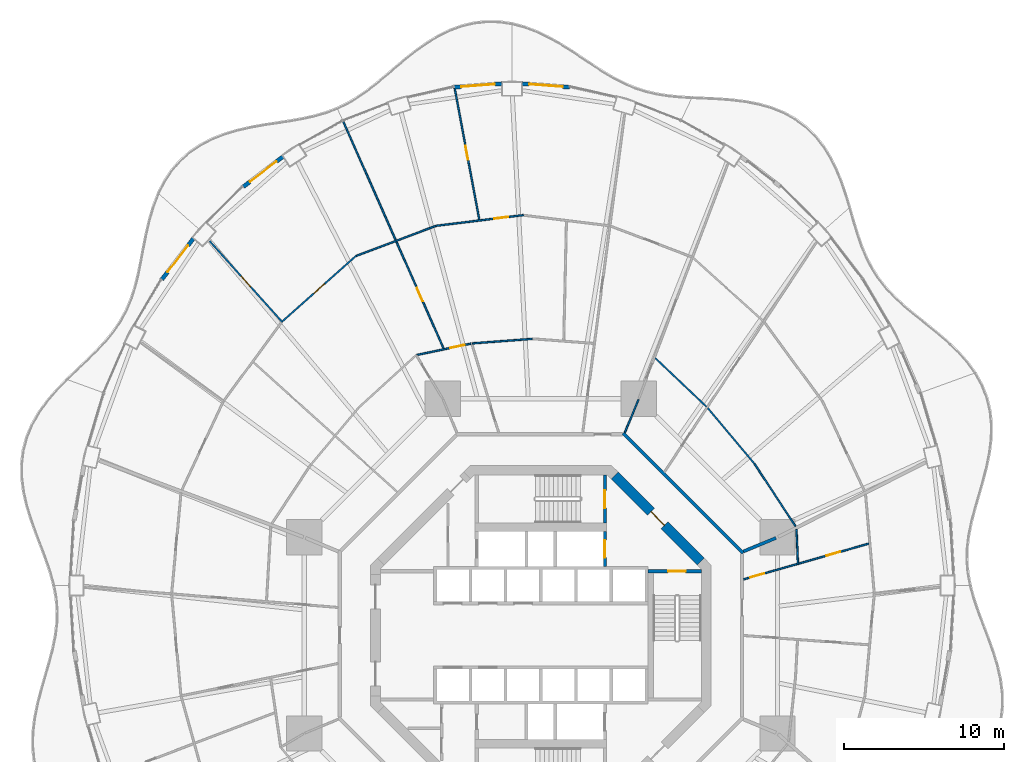
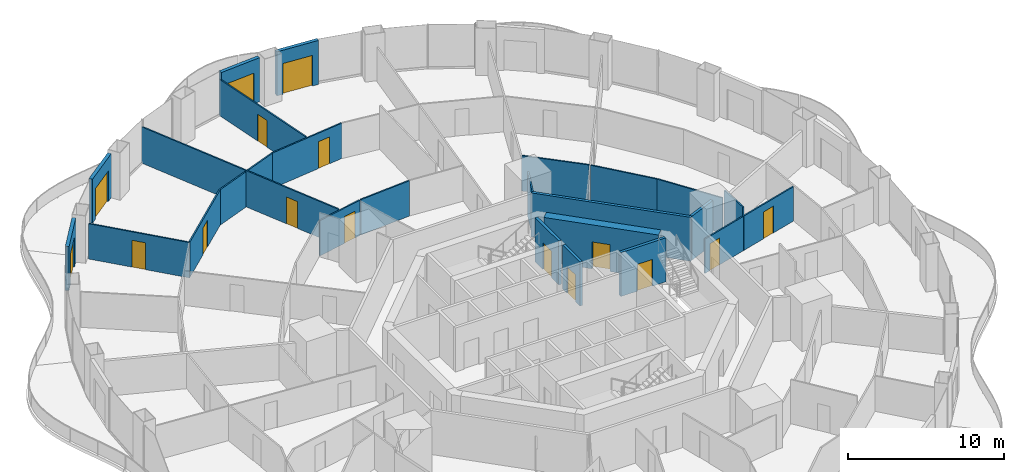
# One storey, part 18 of 22: 24 walls, 16 doors, 16 openings.
"""IFC4 building model written with IfcOpenShell, lengths in metres."""

from ifc_helpers import new_model, si_unit, direction, frame, frame_2d, origin, place, context, subcontext, project, spatial, rectangle, extrude, material, layer, layer_set, type_object, element, fill, save


model = new_model("IFC4")

# Units and contexts
model_context = context("Model", 3, precision=1e-05, world=origin(), true_north=direction((0.0, 1.0)))
body_context = subcontext(model_context, "Body", "Model", "MODEL_VIEW")
ifc_project = project(units=[si_unit("LENGTHUNIT", "METRE"), si_unit("AREAUNIT", "SQUARE_METRE"), si_unit("VOLUMEUNIT", "CUBIC_METRE"), si_unit("PLANEANGLEUNIT", "RADIAN"), si_unit("MASSUNIT", "GRAM", prefix="KILO")], contexts=[model_context])

# Site, building, storey
site_placement = place(None, origin())
site = spatial("IfcSite", under=ifc_project, at=site_placement, CompositionType="ELEMENT")
building_placement = place(site_placement, origin())
building = spatial("IfcBuilding", under=site, at=building_placement, Name="Nagisa Residences", CompositionType="ELEMENT")
storey_placement = place(building_placement, frame((0.0, 0.0, 80.699951171875)))
storey = spatial("IfcBuildingStorey", under=building, at=storey_placement, Name="L19", CompositionType="ELEMENT", Elevation=80.699951171875)

# Walls
ifc_material_1 = material(Name="Gypsum board on steel studs", Category="steel")
ifc_layer_1 = layer(ifc_material_1, 0.199951171875)
ifc_layer_set_1 = layer_set([ifc_layer_1], Name="Apartment compartment wall EI60 200")
wall_type_1 = type_object("IfcWallType", Name="Apartment compartment wall EI60 200", PredefinedType="PARTITIONING", material=ifc_layer_set_1)
wall_1_placement = place(storey_placement, frame((12.6572265625, 5.24267578125, 0.0), z_axis=(0.0, 0.0, 1.0), x_axis=(0.923876145736, 0.382691608661, 0.0)))
element("IfcWall", 1, at=wall_1_placement, inside=storey, type_object=wall_type_1, Name="wall:L19:u00", PredefinedType="PARTITIONING", context=body_context, shape_type="SweptSolid", body=[
    extrude(rectangle(XDim=2.19970703125, YDim=0.199951171875, at=frame_2d((1.099853515625, 0.0))), origin(), (0.0, 0.0, 1.0), 3.43994140625),
])
ifc_material_2 = material(Name="Gypsum board on steel studs", Category="steel")
ifc_layer_2 = layer(ifc_material_2, 0.199951171875)
ifc_layer_set_2 = layer_set([ifc_layer_2], Name="Apartment entry wall EI60 200")
wall_type_2 = type_object("IfcWallType", Name="Apartment entry wall EI60 200", PredefinedType="PARTITIONING", material=ifc_layer_set_2)
wall_2_placement = place(storey_placement, frame((12.635498046875, 5.1337890625, 0.0), z_axis=(0.0, 0.0, 1.0), x_axis=(-0.707106781187, 0.707106781187, 0.0)))
element("IfcWall", 2, at=wall_2_placement, inside=storey, type_object=wall_type_2, Name="wall:L19:u09", PredefinedType="PARTITIONING", context=body_context, shape_type="SweptSolid", body=[
    extrude(rectangle(XDim=10.609130859375, YDim=0.199951171875, at=frame_2d((5.3046875, 0.0))), origin(), (0.0, 0.0, 1.0), 3.43994140625),
])

# Wall, openings, doors
ifc_material_3 = material(Name="Gypsum board on steel studs", Category="steel")
ifc_layer_3 = layer(ifc_material_3, 0.10009765625)
ifc_layer_set_3 = layer_set([ifc_layer_3], Name="Apartment partition 100")
wall_type_3 = type_object("IfcWallType", Name="Apartment partition 100", PredefinedType="PARTITIONING", material=ifc_layer_set_3)
wall_3_placement = place(storey_placement, frame((12.660888671875, 3.4970703125, 0.0), z_axis=(0.0, 0.0, 1.0), x_axis=(0.961626678623, 0.274361314621, 0.0)))
wall_3 = element("IfcWall", 3, at=wall_3_placement, inside=storey, type_object=wall_type_3, Name="wall:L19:u19", PredefinedType="PARTITIONING", context=body_context, shape_type="SweptSolid", body=[
    extrude(rectangle(XDim=8.155517578125, YDim=0.10009765625, at=frame_2d((4.07763671875, 0.0))), origin(), (0.0, 0.0, 1.0), 2.68701171875),
])
opening_1_placement = place(wall_3_placement, frame((0.4462890625, 0.0, 0.0)))
opening_1 = element("IfcOpeningElement", 4, at=opening_1_placement, cuts=wall_3, Name="Opening L19-U50", PredefinedType="OPENING", context=body_context, shape_type="SweptSolid", body=[
    extrude(rectangle(XDim=0.89990234375, YDim=2.10009765625, at=frame_2d((0.449951171875, 1.050048828125))), frame((0.0, 0.06005859375, 0.0), z_axis=(0.0, -1.0, 0.0), x_axis=(1.0, 0.0, 0.0)), (0.0, 0.0, 1.0), 0.1201171875),
])
opening_2_placement = place(wall_3_placement, frame((5.39013671875, 0.0, 0.0)))
opening_2 = element("IfcOpeningElement", 5, at=opening_2_placement, cuts=wall_3, Name="Opening L19-U52", PredefinedType="OPENING", context=body_context, shape_type="SweptSolid", body=[
    extrude(rectangle(XDim=0.89990234375, YDim=2.10009765625, at=frame_2d((0.449951171875, 1.050048828125))), frame((0.0, 0.06005859375, 0.0), z_axis=(0.0, -1.0, 0.0), x_axis=(1.0, 0.0, 0.0)), (0.0, 0.0, 1.0), 0.1201171875),
])
ifc_material_4 = material(Name="Timber door set", Category="wood")
door_type_1 = type_object("IfcDoorType", Name="Apartment door 900x2100", OperationType="NOTDEFINED", PredefinedType="DOOR", material=ifc_material_4)
door_1_placement = place(opening_1_placement, origin())
door_1 = element("IfcDoor", 6, at=door_1_placement, inside=storey, type_object=door_type_1, Name="Door to family bathroom, Apartment 19D", OperationType="SINGLE_SWING_RIGHT", OverallHeight=2.10009765625, OverallWidth=0.89990234375, PredefinedType="DOOR", context=body_context, shape_type="SweptSolid", body=[
    extrude(rectangle(XDim=0.89990234375, YDim=2.10009765625, at=frame_2d((0.449951171875, 1.050048828125))), frame((0.0, 0.02490234375, 0.0), z_axis=(0.0, -1.0, 0.0), x_axis=(1.0, 0.0, 0.0)), (0.0, 0.0, 1.0), 0.050048828125),
])
fill(opening_1, door_1)
door_2_placement = place(opening_2_placement, origin())
door_2 = element("IfcDoor", 7, at=door_2_placement, inside=storey, type_object=door_type_1, Name="Door to family bathroom, Apartment 19D", OperationType="SINGLE_SWING_RIGHT", OverallHeight=2.10009765625, OverallWidth=0.89990234375, PredefinedType="DOOR", context=body_context, shape_type="SweptSolid", body=[
    extrude(rectangle(XDim=0.89990234375, YDim=2.10009765625, at=frame_2d((0.449951171875, 1.050048828125))), frame((0.0, 0.02490234375, 0.0), z_axis=(0.0, -1.0, 0.0), x_axis=(1.0, 0.0, 0.0)), (0.0, 0.0, 1.0), 0.050048828125),
])
fill(opening_2, door_2)

# Walls
wall_4_placement = place(storey_placement, frame((16.064453125, 4.4150390625, 0.0), z_axis=(0.0, 0.0, 1.0), x_axis=(-0.043101501373, 0.999070698489, 0.0)))
element("IfcWall", 8, at=wall_4_placement, inside=storey, type_object=wall_type_3, Name="wall:L19:u20", PredefinedType="PARTITIONING", context=body_context, shape_type="SweptSolid", body=[
    extrude(rectangle(XDim=2.208984375, YDim=0.10009765625, at=frame_2d((1.1044921875, 0.0))), origin(), (0.0, 0.0, 1.0), 3.43994140625),
])
wall_5_placement = place(storey_placement, frame((15.91015625, 6.8056640625, 0.0), z_axis=(0.0, 0.0, 1.0), x_axis=(-0.547468243486, 0.836826458936, 0.0)))
element("IfcWall", 9, at=wall_5_placement, inside=storey, type_object=wall_type_3, Name="wall:L19:u21", PredefinedType="PARTITIONING", context=body_context, shape_type="SweptSolid", body=[
    extrude(rectangle(XDim=4.687744140625, YDim=0.10009765625, at=frame_2d((2.34375, 0.0))), origin(), (0.0, 0.0, 1.0), 2.761962890625),
])
wall_6_placement = place(storey_placement, frame((13.339111328125, 10.724853515625, 0.0), z_axis=(0.0, 0.0, 1.0), x_axis=(-0.642515455924, 0.766272724882, 0.0)))
element("IfcWall", 10, at=wall_6_placement, inside=storey, type_object=wall_type_3, Name="wall:L19:u23", PredefinedType="PARTITIONING", context=body_context, shape_type="SweptSolid", body=[
    extrude(rectangle(XDim=4.537353515625, YDim=0.10009765625, at=frame_2d((2.2685546875, 0.0))), origin(), (0.0, 0.0, 1.0), 2.761962890625),
])
wall_7_placement = place(storey_placement, frame((10.35546875, 14.274169921875, 0.0), z_axis=(0.0, 0.0, 1.0), x_axis=(-0.725219204328, 0.688518050361, 0.0)))
element("IfcWall", 11, at=wall_7_placement, inside=storey, type_object=wall_type_3, Name="wall:L19:u26", PredefinedType="PARTITIONING", context=body_context, shape_type="SweptSolid", body=[
    extrude(rectangle(XDim=4.43701171875, YDim=0.10009765625, at=frame_2d((2.218505859375, 0.0))), origin(), (0.0, 0.0, 1.0), 2.761962890625),
])
wall_8_placement = place(storey_placement, frame((5.24267578125, 12.6572265625, 0.0), z_axis=(0.0, 0.0, 1.0), x_axis=(0.382719158442, 0.923864733477, 0.0)))
element("IfcWall", 12, at=wall_8_placement, inside=storey, type_object=wall_type_3, Name="wall:L19:u28", PredefinedType="PARTITIONING", context=body_context, shape_type="SweptSolid", body=[
    extrude(rectangle(XDim=2.25, YDim=0.10009765625, at=frame_2d((1.125, 0.0))), origin(), (0.0, 0.0, 1.0), 3.43994140625),
])
wall_9_placement = place(storey_placement, frame((-0.535888671875, 18.519287109375, 0.0), z_axis=(0.0, 0.0, 1.0), x_axis=(-0.99715294352, -0.075405618017, 0.0)))
element("IfcWall", 13, at=wall_9_placement, inside=storey, type_object=wall_type_3, Name="wall:L19:u35", PredefinedType="PARTITIONING", context=body_context, shape_type="SweptSolid", body=[
    extrude(rectangle(XDim=3.74609375, YDim=0.10009765625, at=frame_2d((1.873046875, 0.0))), origin(), (0.0, 0.0, 1.0), 2.761962890625),
])

# Wall, opening, door
wall_10_placement = place(storey_placement, frame((-1.06640625, 26.2529296875, 0.0), z_axis=(0.0, 0.0, 1.0), x_axis=(-0.992574197255, -0.121640712523, 0.0)))
wall_10 = element("IfcWall", 14, at=wall_10_placement, inside=storey, type_object=wall_type_3, Name="wall:L19:u36", PredefinedType="PARTITIONING", context=body_context, shape_type="SweptSolid", body=[
    extrude(rectangle(XDim=5.57373046875, YDim=0.10009765625, at=frame_2d((2.786865234375, 0.0))), origin(), (0.0, 0.0, 1.0), 2.761962890625),
])
opening_3_placement = place(wall_10_placement, frame((0.968505859375, 0.0, 0.0)))
opening_3 = element("IfcOpeningElement", 15, at=opening_3_placement, cuts=wall_10, Name="Opening L19-U14", PredefinedType="OPENING", context=body_context, shape_type="SweptSolid", body=[
    extrude(rectangle(XDim=0.89990234375, YDim=2.10009765625, at=frame_2d((0.449951171875, 1.050048828125))), frame((0.0, 0.06005859375, 0.0), z_axis=(0.0, -1.0, 0.0), x_axis=(1.0, 0.0, 0.0)), (0.0, 0.0, 1.0), 0.1201171875),
])
door_3_placement = place(opening_3_placement, frame((0.89990234375, 0.0, 0.0), x_axis=(-1.0, 0.0, 0.0)))
door_3 = element("IfcDoor", 16, at=door_3_placement, inside=storey, type_object=door_type_1, Name="Door to living room, Apartment 19A", OperationType="SINGLE_SWING_LEFT", OverallHeight=2.10009765625, OverallWidth=0.89990234375, PredefinedType="DOOR", context=body_context, shape_type="SweptSolid", body=[
    extrude(rectangle(XDim=0.89990234375, YDim=2.10009765625, at=frame_2d((0.449951171875, 1.050048828125))), frame((0.0, 0.02490234375, 0.0), z_axis=(0.0, -1.0, 0.0), x_axis=(1.0, 0.0, 0.0)), (0.0, 0.0, 1.0), 0.050048828125),
])
fill(opening_3, door_3)

wall_11_placement = place(storey_placement, frame((-3.841796875, 25.963134765625, 0.0), z_axis=(0.0, 0.0, 1.0), x_axis=(-0.184068442651, 0.982913428752, 0.0)))
wall_11 = element("IfcWall", 17, at=wall_11_placement, inside=storey, type_object=wall_type_3, Name="wall:L19:u37", PredefinedType="PARTITIONING", context=body_context, shape_type="SweptSolid", body=[
    extrude(rectangle(XDim=8.505859375, YDim=0.10009765625, at=frame_2d((4.2529296875, 0.0))), origin(), (0.0, 0.0, 1.0), 2.837158203125),
])
opening_4_placement = place(wall_11_placement, frame((3.802978515625, 0.0, 0.0)))
opening_4 = element("IfcOpeningElement", 18, at=opening_4_placement, cuts=wall_11, Name="Opening L19-U15", PredefinedType="OPENING", context=body_context, shape_type="SweptSolid", body=[
    extrude(rectangle(XDim=0.89990234375, YDim=2.10009765625, at=frame_2d((0.449951171875, 1.050048828125))), frame((0.0, 0.06005859375, 0.0), z_axis=(0.0, -1.0, 0.0), x_axis=(1.0, 0.0, 0.0)), (0.0, 0.0, 1.0), 0.1201171875),
])
door_4_placement = place(opening_4_placement, origin())
door_4 = element("IfcDoor", 19, at=door_4_placement, inside=storey, type_object=door_type_1, Name="Door to master bedroom, Apartment 19A", OperationType="SINGLE_SWING_LEFT", OverallHeight=2.10009765625, OverallWidth=0.89990234375, PredefinedType="DOOR", context=body_context, shape_type="SweptSolid", body=[
    extrude(rectangle(XDim=0.89990234375, YDim=2.10009765625, at=frame_2d((0.449951171875, 1.050048828125))), frame((0.0, 0.02490234375, 0.0), z_axis=(0.0, -1.0, 0.0), x_axis=(1.0, 0.0, 0.0)), (0.0, 0.0, 1.0), 0.050048828125),
])
fill(opening_4, door_4)

wall_12_placement = place(storey_placement, frame((-4.369873046875, 18.222900390625, 0.0), z_axis=(0.0, 0.0, 1.0), x_axis=(-0.978619056583, -0.205681166112, 0.0)))
wall_12 = element("IfcWall", 20, at=wall_12_placement, inside=storey, type_object=wall_type_3, Name="wall:L19:u39", PredefinedType="PARTITIONING", context=body_context, shape_type="SweptSolid", body=[
    extrude(rectangle(XDim=3.4375, YDim=0.10009765625, at=frame_2d((1.71875, 0.0))), origin(), (0.0, 0.0, 1.0), 2.761962890625),
])
opening_5_placement = place(wall_12_placement, frame((0.409423828125, 0.0, 0.0)))
opening_5 = element("IfcOpeningElement", 21, at=opening_5_placement, cuts=wall_12, Name="Opening L19-U09", PredefinedType="OPENING", context=body_context, shape_type="SweptSolid", body=[
    extrude(rectangle(XDim=0.89990234375, YDim=2.10009765625, at=frame_2d((0.449951171875, 1.050048828125))), frame((0.0, 0.06005859375, 0.0), z_axis=(0.0, -1.0, 0.0), x_axis=(1.0, 0.0, 0.0)), (0.0, 0.0, 1.0), 0.1201171875),
])
door_5_placement = place(opening_5_placement, frame((0.89990234375, 0.0, 0.0), x_axis=(-1.0, 0.0, 0.0)))
door_5 = element("IfcDoor", 22, at=door_5_placement, inside=storey, type_object=door_type_1, Name="Door to dining room, Apartment 19A", OperationType="SINGLE_SWING_RIGHT", OverallHeight=2.10009765625, OverallWidth=0.89990234375, PredefinedType="DOOR", context=body_context, shape_type="SweptSolid", body=[
    extrude(rectangle(XDim=0.89990234375, YDim=2.10009765625, at=frame_2d((0.449951171875, 1.050048828125))), frame((0.0, 0.02490234375, 0.0), z_axis=(0.0, -1.0, 0.0), x_axis=(1.0, 0.0, 0.0)), (0.0, 0.0, 1.0), 0.050048828125),
])
fill(opening_5, door_5)

# Wall
wall_13_placement = place(storey_placement, frame((-6.595703125, 25.5634765625, 0.0), z_axis=(0.0, 0.0, 1.0), x_axis=(-0.9356162121, -0.353018843201, 0.0)))
element("IfcWall", 23, at=wall_13_placement, inside=storey, type_object=wall_type_3, Name="wall:L19:u40", PredefinedType="PARTITIONING", context=body_context, shape_type="SweptSolid", body=[
    extrude(rectangle(XDim=5.2490234375, YDim=0.10009765625, at=frame_2d((2.62451171875, 0.0))), origin(), (0.0, 0.0, 1.0), 2.761962890625),
])

# Wall, opening, door
wall_14_placement = place(storey_placement, frame((-6.072021484375, 17.9150390625, 0.0), z_axis=(0.0, 0.0, 1.0), x_axis=(-0.404139814253, 0.914697223422, 0.0)))
wall_14 = element("IfcWall", 24, at=wall_14_placement, inside=storey, type_object=wall_type_3, Name="wall:L19:u41", PredefinedType="PARTITIONING", context=body_context, shape_type="SweptSolid", body=[
    extrude(rectangle(XDim=15.6142578125, YDim=0.10009765625, at=frame_2d((7.80712890625, 0.0))), origin(), (0.0, 0.0, 1.0), 2.837158203125),
])
opening_6_placement = place(wall_14_placement, frame((3.226318359375, 0.0, 0.0)))
opening_6 = element("IfcOpeningElement", 25, at=opening_6_placement, cuts=wall_14, Name="Opening L19-U10", PredefinedType="OPENING", context=body_context, shape_type="SweptSolid", body=[
    extrude(rectangle(XDim=0.89990234375, YDim=2.10009765625, at=frame_2d((0.449951171875, 1.050048828125))), frame((0.0, 0.06005859375, 0.0), z_axis=(0.0, -1.0, 0.0), x_axis=(1.0, 0.0, 0.0)), (0.0, 0.0, 1.0), 0.1201171875),
])
door_6_placement = place(opening_6_placement, origin())
door_6 = element("IfcDoor", 26, at=door_6_placement, inside=storey, type_object=door_type_1, Name="Door to family room, Apartment 19A", OperationType="SINGLE_SWING_RIGHT", OverallHeight=2.10009765625, OverallWidth=0.89990234375, PredefinedType="DOOR", context=body_context, shape_type="SweptSolid", body=[
    extrude(rectangle(XDim=0.89990234375, YDim=2.10009765625, at=frame_2d((0.449951171875, 1.050048828125))), frame((0.0, 0.02490234375, 0.0), z_axis=(0.0, -1.0, 0.0), x_axis=(1.0, 0.0, 0.0)), (0.0, 0.0, 1.0), 0.050048828125),
])
fill(opening_6, door_6)

wall_15_placement = place(storey_placement, frame((-11.51611328125, 23.72607421875, 0.0), z_axis=(0.0, 0.0, 1.0), x_axis=(-0.747428955243, -0.664341747043, 0.0)))
wall_15 = element("IfcWall", 27, at=wall_15_placement, inside=storey, type_object=wall_type_3, Name="wall:L19:u45", PredefinedType="PARTITIONING", context=body_context, shape_type="SweptSolid", body=[
    extrude(rectangle(XDim=6.173583984375, YDim=0.10009765625, at=frame_2d((3.0869140625, 0.0))), origin(), (0.0, 0.0, 1.0), 2.761962890625),
])
opening_7_placement = place(wall_15_placement, frame((2.66162109375, 0.0, 0.0)))
opening_7 = element("IfcOpeningElement", 28, at=opening_7_placement, cuts=wall_15, Name="Opening L19-U16", PredefinedType="OPENING", context=body_context, shape_type="SweptSolid", body=[
    extrude(rectangle(XDim=0.89990234375, YDim=2.10009765625, at=frame_2d((0.449951171875, 1.050048828125))), frame((0.0, 0.06005859375, 0.0), z_axis=(0.0, -1.0, 0.0), x_axis=(1.0, 0.0, 0.0)), (0.0, 0.0, 1.0), 0.1201171875),
])
door_7_placement = place(opening_7_placement, frame((0.89990234375, 0.0, 0.0), x_axis=(-1.0, 0.0, 0.0)))
door_7 = element("IfcDoor", 29, at=door_7_placement, inside=storey, type_object=door_type_1, Name="Door to living room, Apartment 19A", OperationType="SINGLE_SWING_LEFT", OverallHeight=2.10009765625, OverallWidth=0.89990234375, PredefinedType="DOOR", context=body_context, shape_type="SweptSolid", body=[
    extrude(rectangle(XDim=0.89990234375, YDim=2.10009765625, at=frame_2d((0.449951171875, 1.050048828125))), frame((0.0, 0.02490234375, 0.0), z_axis=(0.0, -1.0, 0.0), x_axis=(1.0, 0.0, 0.0)), (0.0, 0.0, 1.0), 0.050048828125),
])
fill(opening_7, door_7)

wall_16_placement = place(storey_placement, frame((-16.13427734375, 19.554443359375, 0.0), z_axis=(0.0, 0.0, 1.0), x_axis=(-0.667985610263, 0.74417418961, 0.0)))
wall_16 = element("IfcWall", 30, at=wall_16_placement, inside=storey, type_object=wall_type_3, Name="wall:L19:u47", PredefinedType="PARTITIONING", context=body_context, shape_type="SweptSolid", body=[
    extrude(rectangle(XDim=6.809326171875, YDim=0.10009765625, at=frame_2d((3.40478515625, 0.0))), origin(), (0.0, 0.0, 1.0), 2.761962890625),
])
opening_8_placement = place(wall_16_placement, frame((2.979736328125, 0.0, 0.0)))
opening_8 = element("IfcOpeningElement", 31, at=opening_8_placement, cuts=wall_16, Name="Opening L19-U17", PredefinedType="OPENING", context=body_context, shape_type="SweptSolid", body=[
    extrude(rectangle(XDim=0.89990234375, YDim=2.10009765625, at=frame_2d((0.449951171875, 1.050048828125))), frame((0.0, 0.06005859375, 0.0), z_axis=(0.0, -1.0, 0.0), x_axis=(1.0, 0.0, 0.0)), (0.0, 0.0, 1.0), 0.1201171875),
])
door_8_placement = place(opening_8_placement, origin())
door_8 = element("IfcDoor", 32, at=door_8_placement, inside=storey, type_object=door_type_1, Name="Door to master bedroom, Apartment 19A", OperationType="SINGLE_SWING_LEFT", OverallHeight=2.10009765625, OverallWidth=0.89990234375, PredefinedType="DOOR", context=body_context, shape_type="SweptSolid", body=[
    extrude(rectangle(XDim=0.89990234375, YDim=2.10009765625, at=frame_2d((0.449951171875, 1.050048828125))), frame((0.0, 0.02490234375, 0.0), z_axis=(0.0, -1.0, 0.0), x_axis=(1.0, 0.0, 0.0)), (0.0, 0.0, 1.0), 0.050048828125),
])
fill(opening_8, door_8)

ifc_material_5 = material(Name="Precast concrete C40/50", Category="concrete")
ifc_layer_4 = layer(ifc_material_5, 0.25)
ifc_layer_set_4 = layer_set([ifc_layer_4], Name="BALCONY DOOR WALL 250")
wall_type_4 = type_object("IfcWallType", Name="BALCONY DOOR WALL 250", PredefinedType="SOLIDWALL", material=ifc_layer_set_4)
wall_17_placement = place(storey_placement, frame((-1.1611328125, 34.459716796875, 0.0), z_axis=(0.0, 0.0, 1.0), x_axis=(0.997232262224, -0.074349278273, 0.0)))
wall_17 = element("IfcWall", 33, at=wall_17_placement, inside=storey, type_object=wall_type_4, Name="wall:L19:bay11", PredefinedType="SOLIDWALL", context=body_context, shape_type="SweptSolid", body=[
    extrude(rectangle(XDim=2.97509765625, YDim=0.25, at=frame_2d((1.487548828125, 0.0))), origin(), (0.0, 0.0, 1.0), 3.43994140625),
])
opening_9_placement = place(wall_17_placement, frame((0.4375, 0.0, 0.0)))
opening_9 = element("IfcOpeningElement", 34, at=opening_9_placement, cuts=wall_17, Name="Opening BD-L19-04", PredefinedType="OPENING", context=body_context, shape_type="SweptSolid", body=[
    extrude(rectangle(XDim=2.10009765625, YDim=2.39990234375, at=frame_2d((1.050048828125, 1.199951171875))), frame((0.0, 0.135009765625, 0.0), z_axis=(0.0, -1.0, 0.0), x_axis=(1.0, 0.0, 0.0)), (0.0, 0.0, 1.0), 0.27001953125),
])
ifc_material_6 = material(Name="Aluminium and clear glass", Category="aluminium")
door_type_2 = type_object("IfcDoorType", Name="BALCONY SLIDING DOOR 2100x2400", OperationType="SLIDING_TO_LEFT", PredefinedType="DOOR", material=ifc_material_6)
door_9_placement = place(opening_9_placement, origin())
door_9 = element("IfcDoor", 35, at=door_9_placement, inside=storey, type_object=door_type_2, Name="door:L19:bay11", OperationType="SLIDING_TO_LEFT", OverallHeight=2.39990234375, OverallWidth=2.10009765625, PredefinedType="DOOR", context=body_context, shape_type="SweptSolid", body=[
    extrude(rectangle(XDim=2.10009765625, YDim=2.39990234375, at=frame_2d((1.050048828125, 1.199951171875))), frame((0.0, 0.02490234375, 0.0), z_axis=(0.0, -1.0, 0.0), x_axis=(1.0, 0.0, 0.0)), (0.0, 0.0, 1.0), 0.050048828125),
])
fill(opening_9, door_9)

wall_18_placement = place(storey_placement, frame((-5.405517578125, 34.238525390625, 0.0), z_axis=(0.0, 0.0, 1.0), x_axis=(0.997231808538, 0.074355363224, 0.0)))
wall_18 = element("IfcWall", 36, at=wall_18_placement, inside=storey, type_object=wall_type_4, Name="wall:L19:bay12", PredefinedType="SOLIDWALL", context=body_context, shape_type="SweptSolid", body=[
    extrude(rectangle(XDim=2.974853515625, YDim=0.25, at=frame_2d((1.4873046875, 0.0))), origin(), (0.0, 0.0, 1.0), 3.43994140625),
])
opening_10_placement = place(wall_18_placement, frame((0.4375, 0.0, 0.0)))
opening_10 = element("IfcOpeningElement", 37, at=opening_10_placement, cuts=wall_18, Name="Opening BD-L19-05", PredefinedType="OPENING", context=body_context, shape_type="SweptSolid", body=[
    extrude(rectangle(XDim=2.10009765625, YDim=2.39990234375, at=frame_2d((1.050048828125, 1.199951171875))), frame((0.0, 0.135009765625, 0.0), z_axis=(0.0, -1.0, 0.0), x_axis=(1.0, 0.0, 0.0)), (0.0, 0.0, 1.0), 0.27001953125),
])
door_10_placement = place(opening_10_placement, origin())
door_10 = element("IfcDoor", 38, at=door_10_placement, inside=storey, type_object=door_type_2, Name="door:L19:bay12", OperationType="SLIDING_TO_LEFT", OverallHeight=2.39990234375, OverallWidth=2.10009765625, PredefinedType="DOOR", context=body_context, shape_type="SweptSolid", body=[
    extrude(rectangle(XDim=2.10009765625, YDim=2.39990234375, at=frame_2d((1.050048828125, 1.199951171875))), frame((0.0, 0.02490234375, 0.0), z_axis=(0.0, -1.0, 0.0), x_axis=(1.0, 0.0, 0.0)), (0.0, 0.0, 1.0), 0.050048828125),
])
fill(opening_10, door_10)

wall_19_placement = place(storey_placement, frame((-18.583984375, 28.020751953125, 0.0), z_axis=(0.0, 0.0, 1.0), x_axis=(0.796037575978, 0.605247203736, 0.0)))
wall_19 = element("IfcWall", 39, at=wall_19_placement, inside=storey, type_object=wall_type_4, Name="wall:L19:bay16", PredefinedType="SOLIDWALL", context=body_context, shape_type="SweptSolid", body=[
    extrude(rectangle(XDim=3.1337890625, YDim=0.25, at=frame_2d((1.56689453125, 0.0))), origin(), (0.0, 0.0, 1.0), 3.43994140625),
])
opening_11_placement = place(wall_19_placement, frame((0.51708984375, 0.0, 0.0)))
opening_11 = element("IfcOpeningElement", 40, at=opening_11_placement, cuts=wall_19, Name="Opening BD-L19-06", PredefinedType="OPENING", context=body_context, shape_type="SweptSolid", body=[
    extrude(rectangle(XDim=2.10009765625, YDim=2.39990234375, at=frame_2d((1.050048828125, 1.199951171875))), frame((0.0, 0.135009765625, 0.0), z_axis=(0.0, -1.0, 0.0), x_axis=(1.0, 0.0, 0.0)), (0.0, 0.0, 1.0), 0.27001953125),
])
door_11_placement = place(opening_11_placement, origin())
door_11 = element("IfcDoor", 41, at=door_11_placement, inside=storey, type_object=door_type_2, Name="door:L19:bay16", OperationType="SLIDING_TO_LEFT", OverallHeight=2.39990234375, OverallWidth=2.10009765625, PredefinedType="DOOR", context=body_context, shape_type="SweptSolid", body=[
    extrude(rectangle(XDim=2.10009765625, YDim=2.39990234375, at=frame_2d((1.050048828125, 1.199951171875))), frame((0.0, 0.02490234375, 0.0), z_axis=(0.0, -1.0, 0.0), x_axis=(1.0, 0.0, 0.0)), (0.0, 0.0, 1.0), 0.050048828125),
])
fill(opening_11, door_11)

wall_20_placement = place(storey_placement, frame((-23.6728515625, 22.2265625, 0.0), z_axis=(0.0, 0.0, 1.0), x_axis=(0.61041202934, 0.792084057684, 0.0)))
wall_20 = element("IfcWall", 42, at=wall_20_placement, inside=storey, type_object=wall_type_4, Name="wall:L19:bay18", PredefinedType="SOLIDWALL", context=body_context, shape_type="SweptSolid", body=[
    extrude(rectangle(XDim=3.262939453125, YDim=0.25, at=frame_2d((1.63134765625, 0.0))), origin(), (0.0, 0.0, 1.0), 3.43994140625),
])
opening_12_placement = place(wall_20_placement, frame((0.58154296875, 0.0, 0.0)))
opening_12 = element("IfcOpeningElement", 43, at=opening_12_placement, cuts=wall_20, Name="Opening BD-L19-07", PredefinedType="OPENING", context=body_context, shape_type="SweptSolid", body=[
    extrude(rectangle(XDim=2.10009765625, YDim=2.39990234375, at=frame_2d((1.050048828125, 1.199951171875))), frame((0.0, 0.135009765625, 0.0), z_axis=(0.0, -1.0, 0.0), x_axis=(1.0, 0.0, 0.0)), (0.0, 0.0, 1.0), 0.27001953125),
])
door_12_placement = place(opening_12_placement, origin())
door_12 = element("IfcDoor", 44, at=door_12_placement, inside=storey, type_object=door_type_2, Name="door:L19:bay18", OperationType="SLIDING_TO_LEFT", OverallHeight=2.39990234375, OverallWidth=2.10009765625, PredefinedType="DOOR", context=body_context, shape_type="SweptSolid", body=[
    extrude(rectangle(XDim=2.10009765625, YDim=2.39990234375, at=frame_2d((1.050048828125, 1.199951171875))), frame((0.0, 0.02490234375, 0.0), z_axis=(0.0, -1.0, 0.0), x_axis=(1.0, 0.0, 0.0)), (0.0, 0.0, 1.0), 0.050048828125),
])
fill(opening_12, door_12)

ifc_material_7 = material(Name="Concrete C60", Category="concrete")
ifc_layer_5 = layer(ifc_material_7, 0.60009765625)
ifc_layer_set_5 = layer_set([ifc_layer_5], Name="Core shear wall 600")
wall_type_5 = type_object("IfcWallType", Name="Core shear wall 600", PredefinedType="SHEAR", material=ifc_layer_set_5)
wall_21_placement = place(storey_placement, frame((9.98828125, 4.613037109375, 0.0), z_axis=(0.0, 0.0, 1.0), x_axis=(-0.707106781187, 0.707106781187, 0.0)))
wall_21 = element("IfcWall", 45, at=wall_21_placement, inside=storey, type_object=wall_type_5, Name="wall:L19:core:flat1", PredefinedType="SHEAR", context=body_context, shape_type="SweptSolid", body=[
    extrude(rectangle(XDim=7.601806640625, YDim=0.60009765625, at=frame_2d((3.80078125, 0.0))), origin(), (0.0, 0.0, 1.0), 3.43994140625),
])
opening_13_placement = place(wall_21_placement, frame((3.200927734375, 0.0, 0.0)))
opening_13 = element("IfcOpeningElement", 46, at=opening_13_placement, cuts=wall_21, Name="Opening L19-C16", PredefinedType="OPENING", context=body_context, shape_type="SweptSolid", body=[
    extrude(rectangle(XDim=1.199951171875, YDim=2.10009765625, at=frame_2d((0.60009765625, 1.050048828125))), frame((0.0, 0.31005859375, 0.0), z_axis=(0.0, -1.0, 0.0), x_axis=(1.0, 0.0, 0.0)), (0.0, 0.0, 1.0), 0.6201171875),
])
ifc_material_8 = material(Name="Steel fire door", Category="steel")
door_type_3 = type_object("IfcDoorType", Name="Fire door EI60 1200x2100 single swing", OperationType="NOTDEFINED", PredefinedType="DOOR", material=ifc_material_8)
door_13_placement = place(opening_13_placement, origin())
door_13 = element("IfcDoor", 47, at=door_13_placement, inside=storey, type_object=door_type_3, Name="Firefighting lobby 1 door L19", OperationType="SINGLE_SWING_LEFT", OverallHeight=2.10009765625, OverallWidth=1.199951171875, PredefinedType="DOOR", context=body_context, shape_type="SweptSolid", body=[
    extrude(rectangle(XDim=1.199951171875, YDim=2.10009765625, at=frame_2d((0.60009765625, 1.050048828125))), frame((0.0, 0.02490234375, 0.0), z_axis=(0.0, -1.0, 0.0), x_axis=(1.0, 0.0, 0.0)), (0.0, 0.0, 1.0), 0.050048828125),
])
fill(opening_13, door_13)

ifc_material_9 = material(Name="Concrete C60", Category="concrete")
ifc_layer_6 = layer(ifc_material_9, 0.199951171875)
ifc_layer_set_6 = layer_set([ifc_layer_6], Name="Lift shaft wall 200")
wall_type_6 = type_object("IfcWallType", Name="Lift shaft wall 200", PredefinedType="SOLIDWALL", material=ifc_layer_set_6)
wall_22_placement = place(storey_placement, frame((4.0, 4.300048828125, 0.0), z_axis=(0.0, 0.0, 1.0), x_axis=(0.0, 1.0, 0.0)))
wall_22 = element("IfcWall", 48, at=wall_22_placement, inside=storey, type_object=wall_type_6, Name="wall:L19:Nb3", PredefinedType="SOLIDWALL", context=body_context, shape_type="SweptSolid", body=[
    extrude(rectangle(XDim=2.199951171875, YDim=0.199951171875, at=frame_2d((1.10009765625, 0.0))), origin(), (0.0, 0.0, 1.0), 3.43994140625),
])
opening_14_placement = place(wall_22_placement, frame((0.550048828125, 0.0, 0.0)))
opening_14 = element("IfcOpeningElement", 49, at=opening_14_placement, cuts=wall_22, Name="Opening L19-C06", PredefinedType="OPENING", context=body_context, shape_type="SweptSolid", body=[
    extrude(rectangle(XDim=1.10009765625, YDim=2.10009765625, at=frame_2d((0.550048828125, 1.050048828125))), frame((0.0, 0.10986328125, 0.0), z_axis=(0.0, -1.0, 0.0), x_axis=(1.0, 0.0, 0.0)), (0.0, 0.0, 1.0), 0.219970703125),
])
ifc_material_10 = material(Name="Stainless steel", Category="steel")
door_type_4 = type_object("IfcDoorType", Name="Lift landing door 1100x2100", OperationType="DOUBLE_DOOR_SLIDING", PredefinedType="DOOR", material=ifc_material_10)
door_14_placement = place(opening_14_placement, origin())
door_14 = element("IfcDoor", 50, at=door_14_placement, inside=storey, type_object=door_type_4, Name="Landing door FL1 L19", OperationType="DOUBLE_DOOR_SLIDING", OverallHeight=2.10009765625, OverallWidth=1.10009765625, PredefinedType="DOOR", context=body_context, shape_type="SweptSolid", body=[
    extrude(rectangle(XDim=1.10009765625, YDim=2.10009765625, at=frame_2d((0.550048828125, 1.050048828125))), frame((0.0, 0.02490234375, 0.0), z_axis=(0.0, -1.0, 0.0), x_axis=(1.0, 0.0, 0.0)), (0.0, 0.0, 1.0), 0.050048828125),
])
fill(opening_14, door_14)

ifc_material_11 = material(Name="Concrete C60", Category="concrete")
ifc_layer_7 = layer(ifc_material_11, 0.199951171875)
ifc_layer_set_7 = layer_set([ifc_layer_7], Name="Stair enclosure wall 200")
wall_type_7 = type_object("IfcWallType", Name="Stair enclosure wall 200", PredefinedType="SOLIDWALL", material=ifc_layer_set_7)
wall_23_placement = place(storey_placement, frame((6.699951171875, 4.0, 0.0), z_axis=(0.0, 0.0, 1.0), x_axis=(1.0, 0.0, 0.0)))
wall_23 = element("IfcWall", 51, at=wall_23_placement, inside=storey, type_object=wall_type_7, Name="wall:L19:SE_n", PredefinedType="SOLIDWALL", context=body_context, shape_type="SweptSolid", body=[
    extrude(rectangle(XDim=3.32470703125, YDim=0.199951171875, at=frame_2d((1.662353515625, 0.0))), origin(), (0.0, 0.0, 1.0), 3.43994140625),
])
opening_15_placement = place(wall_23_placement, frame((1.25, 0.0, 0.0)))
opening_15 = element("IfcOpeningElement", 52, at=opening_15_placement, cuts=wall_23, Name="Opening L19-C09", PredefinedType="OPENING", context=body_context, shape_type="SweptSolid", body=[
    extrude(rectangle(XDim=1.10009765625, YDim=2.10009765625, at=frame_2d((0.550048828125, 1.050048828125))), frame((0.0, 0.10986328125, 0.0), z_axis=(0.0, -1.0, 0.0), x_axis=(1.0, 0.0, 0.0)), (0.0, 0.0, 1.0), 0.219970703125),
])
ifc_material_12 = material(Name="Steel fire door", Category="steel")
door_type_5 = type_object("IfcDoorType", Name="Fire door EI90 1100x2100 single swing", OperationType="NOTDEFINED", PredefinedType="DOOR", material=ifc_material_12)
door_15_placement = place(opening_15_placement, frame((1.10009765625, 0.0, 0.0), x_axis=(-1.0, 0.0, 0.0)))
door_15 = element("IfcDoor", 53, at=door_15_placement, inside=storey, type_object=door_type_5, Name="Stair door ST-E L19", OperationType="SINGLE_SWING_RIGHT", OverallHeight=2.10009765625, OverallWidth=1.10009765625, PredefinedType="DOOR", context=body_context, shape_type="SweptSolid", body=[
    extrude(rectangle(XDim=1.10009765625, YDim=2.10009765625, at=frame_2d((0.550048828125, 1.050048828125))), frame((0.0, 0.02490234375, 0.0), z_axis=(0.0, -1.0, 0.0), x_axis=(1.0, 0.0, 0.0)), (0.0, 0.0, 1.0), 0.050048828125),
])
fill(opening_15, door_15)

wall_24_placement = place(storey_placement, frame((4.0, 7.024658203125, 0.0), z_axis=(0.0, 0.0, 1.0), x_axis=(0.0, 1.0, 0.0)))
wall_24 = element("IfcWall", 54, at=wall_24_placement, inside=storey, type_object=wall_type_7, Name="wall:L19:SN_e", PredefinedType="SOLIDWALL", context=body_context, shape_type="SweptSolid", body=[
    extrude(rectangle(XDim=3.0, YDim=0.199951171875, at=frame_2d((1.5, 0.0))), origin(), (0.0, 0.0, 1.0), 3.43994140625),
])
opening_16_placement = place(wall_24_placement, frame((0.92529296875, 0.0, 0.0)))
opening_16 = element("IfcOpeningElement", 55, at=opening_16_placement, cuts=wall_24, Name="Opening L19-C10", PredefinedType="OPENING", context=body_context, shape_type="SweptSolid", body=[
    extrude(rectangle(XDim=1.10009765625, YDim=2.10009765625, at=frame_2d((0.550048828125, 1.050048828125))), frame((0.0, 0.10986328125, 0.0), z_axis=(0.0, -1.0, 0.0), x_axis=(1.0, 0.0, 0.0)), (0.0, 0.0, 1.0), 0.219970703125),
])
door_16_placement = place(opening_16_placement, origin())
door_16 = element("IfcDoor", 56, at=door_16_placement, inside=storey, type_object=door_type_5, Name="Stair door ST-N L19", OperationType="SINGLE_SWING_LEFT", OverallHeight=2.10009765625, OverallWidth=1.10009765625, PredefinedType="DOOR", context=body_context, shape_type="SweptSolid", body=[
    extrude(rectangle(XDim=1.10009765625, YDim=2.10009765625, at=frame_2d((0.550048828125, 1.050048828125))), frame((0.0, 0.02490234375, 0.0), z_axis=(0.0, -1.0, 0.0), x_axis=(1.0, 0.0, 0.0)), (0.0, 0.0, 1.0), 0.050048828125),
])
fill(opening_16, door_16)

save(model, "model.ifc")
